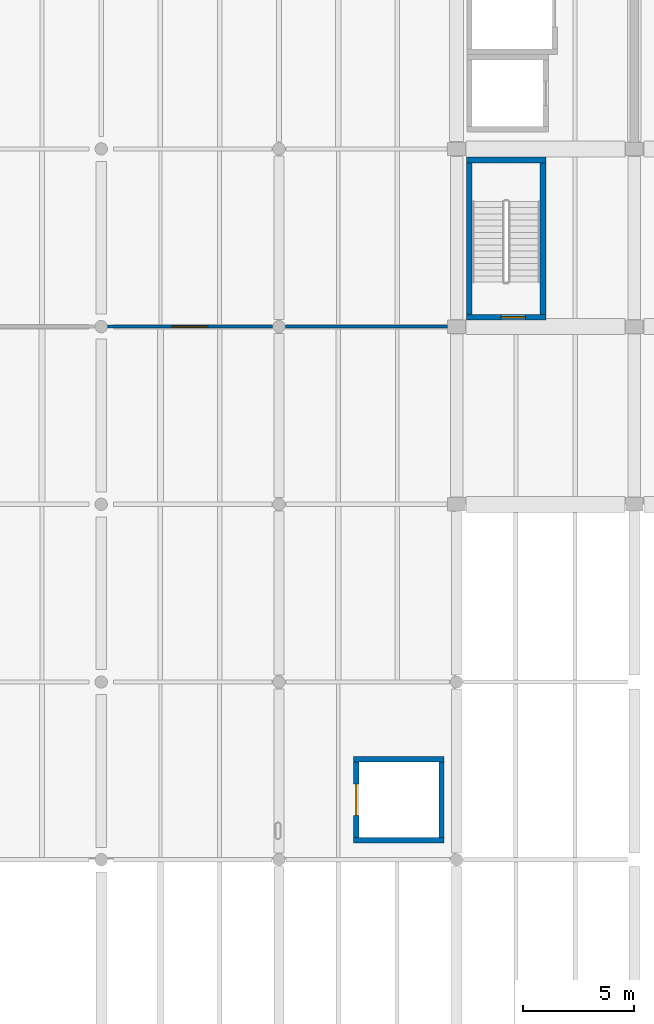
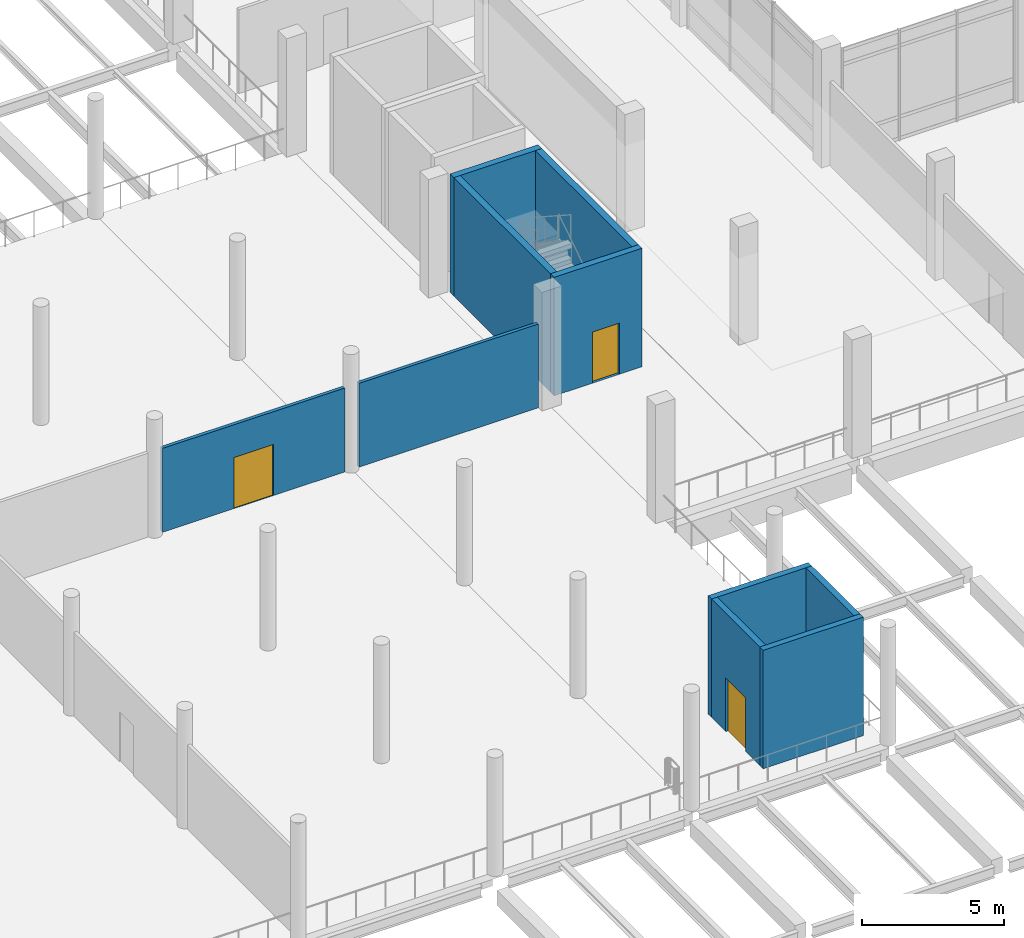
# One storey, part 34 of 61: 10 walls, 3 doors, 3 openings.
"""IFC4 building model written with IfcOpenShell, lengths in metres."""

from ifc_helpers import new_model, si_unit, direction, frame, frame_2d, origin, place, context, subcontext, project, spatial, rectangle, extrude, material, layer, layer_set, type_object, element, fill, save


model = new_model("IFC4")

# Units and contexts
model_context = context("Model", 3, precision=1e-05, world=origin(), true_north=direction((0.0, 1.0)))
body_context = subcontext(model_context, "Body", "Model", "MODEL_VIEW")
ifc_project = project(units=[si_unit("LENGTHUNIT", "METRE"), si_unit("AREAUNIT", "SQUARE_METRE"), si_unit("VOLUMEUNIT", "CUBIC_METRE"), si_unit("PLANEANGLEUNIT", "RADIAN"), si_unit("MASSUNIT", "GRAM", prefix="KILO")], contexts=[model_context])

# Site, building, storey
site_placement = place(None, origin())
site = spatial("IfcSite", under=ifc_project, at=site_placement, CompositionType="ELEMENT")
building_placement = place(site_placement, origin())
building = spatial("IfcBuilding", under=site, at=building_placement, Name="Pecanmere Concourse Central Library", CompositionType="ELEMENT")
storey_placement = place(building_placement, frame((0.0, 0.0, 5.39990234375)))
storey = spatial("IfcBuildingStorey", under=building, at=storey_placement, Name="L02", CompositionType="ELEMENT", Elevation=5.39990234375)

# Wall, opening, door
ifc_material_1 = material(Name="Fire-rated gypsum board on acoustic steel stud", Category="steel")
ifc_layer_1 = layer(ifc_material_1, 0.135009765625, Name="IW_PART_135")
ifc_layer_set_1 = layer_set([ifc_layer_1], Name="Fire-rated gypsum board on acoustic steel stud")
wall_type_1 = type_object("IfcWallType", Name="IW_PART_135", PredefinedType="PARTITIONING", material=ifc_layer_set_1)
wall_1_placement = place(storey_placement, frame((96.2900390625, 56.0, 0.0), z_axis=(0.0, 0.0, 1.0), x_axis=(1.0, 0.0, 0.0)))
wall_1 = element("IfcWall", 1, at=wall_1_placement, inside=storey, type_object=wall_type_1, Name="Interior Partition L02-0163", PredefinedType="PARTITIONING", context=body_context, shape_type="SweptSolid", body=[
    extrude(rectangle(XDim=7.419921875, YDim=0.135009765625, at=frame_2d((3.7099609375, 0.0))), origin(), (0.0, 0.0, 1.0), 3.610107421875),
])
opening_1_placement = place(wall_1_placement, frame((2.909912109375, 0.0, 0.0)))
opening_1 = element("IfcOpeningElement", 2, at=opening_1_placement, cuts=wall_1, Name="Opening DT-02", PredefinedType="OPENING", context=body_context, shape_type="SweptSolid", body=[
    extrude(rectangle(XDim=1.60009765625, YDim=2.199951171875, at=frame_2d((0.800048828125, 1.10009765625))), frame((0.0, 0.07958984375, 0.0), z_axis=(0.0, -1.0, 0.0), x_axis=(1.0, 0.0, 0.0)), (0.0, 0.0, 1.0), 0.158935546875),
])
ifc_material_2 = material(Name="Solid white oak architectural joinery")
door_type_1 = type_object("IfcDoorType", Name="DT-02", OperationType="DOUBLE_DOOR_SINGLE_SWING", PredefinedType="DOOR", material=ifc_material_2)
door_1_placement = place(opening_1_placement, origin())
door_1 = element("IfcDoor", 3, at=door_1_placement, inside=storey, type_object=door_type_1, Name="D-200", OperationType="DOUBLE_DOOR_SINGLE_SWING", OverallHeight=2.199951171875, OverallWidth=1.60009765625, PredefinedType="DOOR", context=body_context, shape_type="SweptSolid", body=[
    extrude(rectangle(XDim=1.60009765625, YDim=2.199951171875, at=frame_2d((0.800048828125, 1.10009765625))), frame((0.0, 0.02490234375, 0.0), z_axis=(0.0, -1.0, 0.0), x_axis=(1.0, 0.0, 0.0)), (0.0, 0.0, 1.0), 0.050048828125),
])
fill(opening_1, door_1)

# Walls
wall_2_placement = place(storey_placement, frame((104.2900390625, 56.0, 0.0), z_axis=(0.0, 0.0, 1.0), x_axis=(1.0, 0.0, 0.0)))
element("IfcWall", 4, at=wall_2_placement, inside=storey, type_object=wall_type_1, Name="Interior Partition L02-0164", PredefinedType="PARTITIONING", context=body_context, shape_type="SweptSolid", body=[
    extrude(rectangle(XDim=7.300048828125, YDim=0.135009765625, at=frame_2d((3.64990234375, 0.0))), origin(), (0.0, 0.0, 1.0), 3.610107421875),
])
ifc_material_3 = material(Name="Concrete C40/50", Category="concrete")
ifc_layer_2 = layer(ifc_material_3, 0.239990234375, Name="WALL_SLD_240")
ifc_layer_set_2 = layer_set([ifc_layer_2], Name="Concrete C40/50")
wall_type_2 = type_object("IfcWallType", Name="WALL_SLD_240", PredefinedType="SOLIDWALL", material=ifc_layer_set_2)
for number, where, z_axis, x_axis, name in (
    (5, (107.360107421875, 32.8798828125, 0.0), (0.0, 0.0, 1.0), (1.0, 0.0, 0.0), "Hoistway Wall LS-02 L02-S"),
    (6, (107.360107421875, 36.52001953125, 0.0), (0.0, 0.0, 1.0), (1.0, 0.0, 0.0), "Hoistway Wall LS-02 L02-N"),
):
    element("IfcWall", number, at=place(storey_placement, frame(where, z_axis=z_axis, x_axis=x_axis)), inside=storey, type_object=wall_type_2, Name=name, PredefinedType="SOLIDWALL", context=body_context, shape_type="SweptSolid", body=[
        extrude(rectangle(XDim=4.079833984375, YDim=0.239990234375, at=frame_2d((2.0400390625, 0.0))), origin(), (0.0, 0.0, 1.0), 5.10009765625),
    ])

# Wall, opening, door
wall_3_placement = place(storey_placement, frame((107.47998046875, 33.0, 0.0), z_axis=(0.0, 0.0, 1.0), x_axis=(0.0, 1.0, 0.0)))
wall_3 = element("IfcWall", 7, at=wall_3_placement, inside=storey, type_object=wall_type_2, Name="Hoistway Wall LS-02 L02-W", PredefinedType="SOLIDWALL", context=body_context, shape_type="SweptSolid", body=[
    extrude(rectangle(XDim=3.39990234375, YDim=0.239990234375, at=frame_2d((1.699951171875, 0.0))), origin(), (0.0, 0.0, 1.0), 5.10009765625),
])
opening_2_placement = place(wall_3_placement, frame((1.0, 0.0, 0.0)))
opening_2 = element("IfcOpeningElement", 8, at=opening_2_placement, cuts=wall_3, Name="Opening LD-03", PredefinedType="OPENING", context=body_context, shape_type="SweptSolid", body=[
    extrude(rectangle(XDim=1.39990234375, YDim=2.300048828125, at=frame_2d((0.699951171875, 1.14990234375))), frame((0.0, 0.1318359375, 0.0), z_axis=(0.0, -1.0, 0.0), x_axis=(1.0, 0.0, 0.0)), (0.0, 0.0, 1.0), 0.263916015625),
])
ifc_material_4 = material(Name="Brushed stainless steel Grade 316", Category="steel")
door_type_2 = type_object("IfcDoorType", Name="LD-03", OperationType="DOUBLE_DOOR_SLIDING", PredefinedType="DOOR", material=ifc_material_4)
door_2_placement = place(opening_2_placement, origin())
door_2 = element("IfcDoor", 9, at=door_2_placement, inside=storey, type_object=door_type_2, Name="LD-LS-02-L02", OperationType="DOUBLE_DOOR_SLIDING", OverallHeight=2.300048828125, OverallWidth=1.39990234375, PredefinedType="DOOR", context=body_context, shape_type="SweptSolid", body=[
    extrude(rectangle(XDim=1.39990234375, YDim=2.300048828125, at=frame_2d((0.699951171875, 1.14990234375))), frame((0.0, 0.02490234375, 0.0), z_axis=(0.0, -1.0, 0.0), x_axis=(1.0, 0.0, 0.0)), (0.0, 0.0, 1.0), 0.050048828125),
])
fill(opening_2, door_2)

# Wall
wall_4_placement = place(storey_placement, frame((111.320068359375, 33.0, 0.0), z_axis=(0.0, 0.0, 1.0), x_axis=(0.0, 1.0, 0.0)))
element("IfcWall", 10, at=wall_4_placement, inside=storey, type_object=wall_type_2, Name="Hoistway Wall LS-02 L02-E", PredefinedType="SOLIDWALL", context=body_context, shape_type="SweptSolid", body=[
    extrude(rectangle(XDim=3.39990234375, YDim=0.239990234375, at=frame_2d((1.699951171875, 0.0))), origin(), (0.0, 0.0, 1.0), 5.10009765625),
])

# Wall, opening, door
ifc_material_5 = material(Name="Concrete C40/50", Category="concrete")
ifc_layer_3 = layer(ifc_material_5, 0.260009765625, Name="WALL_SLD_260")
ifc_layer_set_3 = layer_set([ifc_layer_3], Name="Concrete C40/50")
wall_type_3 = type_object("IfcWallType", Name="WALL_SLD_260", PredefinedType="SOLIDWALL", material=ifc_layer_set_3)
wall_5_placement = place(storey_placement, frame((112.43994140625, 56.419921875, 0.0), z_axis=(0.0, 0.0, 1.0), x_axis=(1.0, 0.0, 0.0)))
wall_5 = element("IfcWall", 11, at=wall_5_placement, inside=storey, type_object=wall_type_3, Name="Core C5 South Wall L02", PredefinedType="SOLIDWALL", context=body_context, shape_type="SweptSolid", body=[
    extrude(rectangle(XDim=3.580078125, YDim=0.260009765625, at=frame_2d((1.7900390625, 0.0))), origin(), (0.0, 0.0, 1.0), 5.10009765625),
])
opening_3_placement = place(wall_5_placement, frame((1.56005859375, 0.0, 0.0)))
opening_3 = element("IfcOpeningElement", 12, at=opening_3_placement, cuts=wall_5, Name="Opening FD-02", PredefinedType="OPENING", context=body_context, shape_type="SweptSolid", body=[
    extrude(rectangle(XDim=1.10009765625, YDim=2.199951171875, at=frame_2d((0.550048828125, 1.10009765625))), frame((0.0, 0.14208984375, 0.0), z_axis=(0.0, -1.0, 0.0), x_axis=(1.0, 0.0, 0.0)), (0.0, 0.0, 1.0), 0.283935546875),
])
ifc_material_6 = material(Name="Painted architectural steel ASTM A36", Category="steel")
door_type_3 = type_object("IfcDoorType", Name="FD-02", OperationType="SINGLE_SWING_RIGHT", PredefinedType="DOOR", material=ifc_material_6)
door_3_placement = place(opening_3_placement, origin())
door_3 = element("IfcDoor", 13, at=door_3_placement, inside=storey, type_object=door_type_3, Name="D-035", OperationType="SINGLE_SWING_RIGHT", OverallHeight=2.199951171875, OverallWidth=1.10009765625, PredefinedType="DOOR", context=body_context, shape_type="SweptSolid", body=[
    extrude(rectangle(XDim=1.10009765625, YDim=2.199951171875, at=frame_2d((0.550048828125, 1.10009765625))), frame((0.0, 0.02490234375, 0.0), z_axis=(0.0, -1.0, 0.0), x_axis=(1.0, 0.0, 0.0)), (0.0, 0.0, 1.0), 0.050048828125),
])
fill(opening_3, door_3)

# Walls
wall_6_placement = place(storey_placement, frame((112.43994140625, 63.5, 0.0), z_axis=(0.0, 0.0, 1.0), x_axis=(1.0, 0.0, 0.0)))
element("IfcWall", 14, at=wall_6_placement, inside=storey, type_object=wall_type_3, Name="Core C5 North Wall L02", PredefinedType="SOLIDWALL", context=body_context, shape_type="SweptSolid", body=[
    extrude(rectangle(XDim=3.580078125, YDim=0.260009765625, at=frame_2d((1.7900390625, 0.0))), origin(), (0.0, 0.0, 1.0), 5.10009765625),
])
for number, where, z_axis, x_axis, name in (
    (15, (112.570068359375, 56.550048828125, 0.0), (0.0, 0.0, 1.0), (0.0, 1.0, 0.0), "Core C5 W Wall L02"),
    (16, (115.889892578125, 56.550048828125, 0.0), (0.0, 0.0, 1.0), (0.0, 1.0, 0.0), "Core C5 E Wall L02"),
):
    element("IfcWall", number, at=place(storey_placement, frame(where, z_axis=z_axis, x_axis=x_axis)), inside=storey, type_object=wall_type_3, Name=name, PredefinedType="SOLIDWALL", context=body_context, shape_type="SweptSolid", body=[
        extrude(rectangle(XDim=6.820068359375, YDim=0.260009765625, at=frame_2d((3.41015625, 0.0))), origin(), (0.0, 0.0, 1.0), 5.10009765625),
    ])

save(model, "model.ifc")
